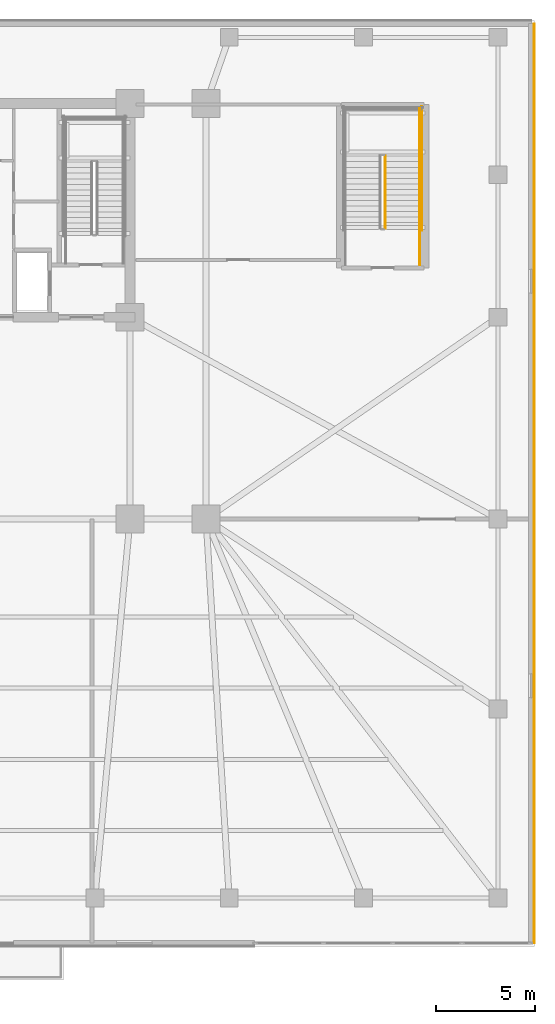
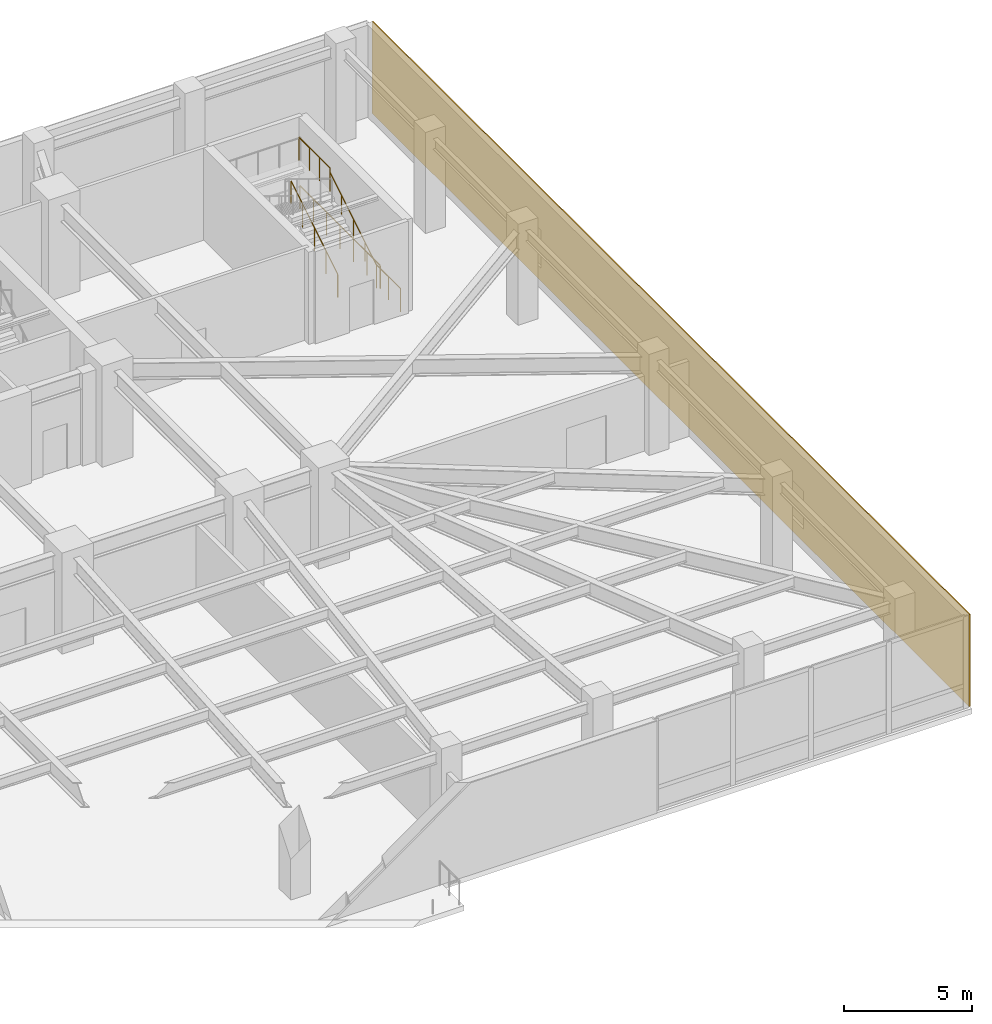
# One storey, part 15 of 15: 5 railings, 1 covering.
"""IFC4 building model written with IfcOpenShell, lengths in metres."""

from ifc_helpers import new_model, si_unit, direction, frame, frame_2d, origin, origin_2d, place, context, subcontext, project, spatial, rectangle, circle, extrude, material, layer, layer_set, type_object, element, save


model = new_model("IFC4")

# Units and contexts
model_context = context("Model", 3, precision=1e-05, world=origin(), true_north=direction((0.0, 1.0)))
body_context = subcontext(model_context, "Body", "Model", "MODEL_VIEW")
ifc_project = project(units=[si_unit("LENGTHUNIT", "METRE"), si_unit("AREAUNIT", "SQUARE_METRE"), si_unit("VOLUMEUNIT", "CUBIC_METRE"), si_unit("PLANEANGLEUNIT", "RADIAN"), si_unit("MASSUNIT", "GRAM", prefix="KILO")], contexts=[model_context])

# Site, building, storey
site_placement = place(None, origin())
site = spatial("IfcSite", under=ifc_project, at=site_placement, CompositionType="ELEMENT")
building_placement = place(site_placement, origin())
building = spatial("IfcBuilding", under=site, at=building_placement, Name="Yelkora Congress Tower", CompositionType="ELEMENT")
storey_placement = place(building_placement, frame((0.0, 0.0, 20.39990234375)))
storey = spatial("IfcBuildingStorey", under=building, at=storey_placement, Name="L04", CompositionType="ELEMENT", Elevation=20.39990234375)

# Covering
ifc_material_1 = material(Name="Anatolian honed limestone ashlar", Category="masonry")
ifc_layer_1 = layer(ifc_material_1, 0.050048828125)
ifc_layer_set_1 = layer_set([ifc_layer_1], Name="Anatolian honed limestone ashlar")
covering_type = type_object("IfcCoveringType", Name="COV-CLAD-LIMESTONE-50", PredefinedType="CLADDING", material=ifc_layer_set_1)
covering_placement = place(storey_placement, frame((74.199951171875, 50.239990234375, 0.0), z_axis=(0.0, 0.0, 1.0), x_axis=(0.0, -1.0, 0.0)))
element("IfcCovering", 1, at=covering_placement, inside=storey, type_object=covering_type, Name="L04 Anatolian Limestone Cladding EW-L04-E03", PredefinedType="CLADDING", context=body_context, shape_type="SweptSolid", body=[
    extrude(rectangle(XDim=46.47998046875, YDim=0.050048828125, at=frame_2d((23.239990234375, 0.0))), origin(), (0.0, 0.0, 1.0), 4.380126953125),
])

# Railings
ifc_material_2 = material(Name="Painted galvanised steel stair well guard with vertical infill", Category="steel")
ifc_layer_2 = layer(ifc_material_2, 0.06005859375)
ifc_layer_set_2 = layer_set([ifc_layer_2], Name="Painted galvanised steel stair well guard with vertical infill")
railing_type_1 = type_object("IfcRailingType", Name="RAIL-STAIR-GUARD-1120", PredefinedType="GUARDRAIL", material=ifc_layer_set_2)
railing_1_placement = place(storey_placement, frame((66.659912109375, 39.89990234375, 0.171630859375)))
element("IfcRailing", 2, at=railing_1_placement, inside=storey, type_object=railing_type_1, Name="ST-P2 L04 Stair Well Guardrail 1", PredefinedType="GUARDRAIL", context=body_context, shape_type="SweptSolid", body=[
    extrude(circle(Radius=0.02392578125, at=origin_2d()), frame((0.0, 0.0, 1.09619140625), z_axis=(0.0, 0.852865859571, 0.52213008492), x_axis=(-1.0, 0.0, 0.0)), (0.0, 0.0, 1.0), 4.26806640625),
    extrude(circle(Radius=0.02099609375, at=origin_2d()), origin(), (0.0, 0.0, 1.0), 1.072021484375),
    extrude(circle(Radius=0.02099609375, at=origin_2d()), frame((0.0, 0.91015625, 0.55712890625)), (0.0, 0.0, 1.0), 1.072021484375),
    extrude(circle(Radius=0.02099609375, at=origin_2d()), frame((0.0, 1.820068359375, 1.1142578125)), (0.0, 0.0, 1.0), 1.072021484375),
    extrude(circle(Radius=0.02099609375, at=origin_2d()), frame((0.0, 2.72998046875, 1.67138671875)), (0.0, 0.0, 1.0), 1.072021484375),
    extrude(circle(Radius=0.02099609375, at=origin_2d()), frame((0.0, 3.64013671875, 2.228515625)), (0.0, 0.0, 1.0), 1.072021484375),
])
railing_2_placement = place(storey_placement, frame((68.409912109375, 43.5400390625, 2.400146484375)))
element("IfcRailing", 3, at=railing_2_placement, inside=storey, type_object=railing_type_1, Name="ST-P2 L04 Stair Well Guardrail 3", PredefinedType="GUARDRAIL", context=body_context, shape_type="SweptSolid", body=[
    extrude(circle(Radius=0.02392578125, at=origin_2d()), frame((0.0, 0.0, 1.09619140625), z_axis=(0.0, 1.0, 0.0), x_axis=(-1.0, 0.0, 0.0)), (0.0, 0.0, 1.0), 2.409912109375),
    extrude(circle(Radius=0.02099609375, at=origin_2d()), origin(), (0.0, 0.0, 1.0), 1.072021484375),
    extrude(circle(Radius=0.02099609375, at=origin_2d()), frame((0.0, 0.80322265625, 0.0)), (0.0, 0.0, 1.0), 1.072021484375),
    extrude(circle(Radius=0.02099609375, at=origin_2d()), frame((0.0, 1.606689453125, 0.0)), (0.0, 0.0, 1.0), 1.072021484375),
    extrude(circle(Radius=0.02099609375, at=origin_2d()), frame((0.0, 2.409912109375, 0.0)), (0.0, 0.0, 1.0), 1.072021484375),
])
railing_3_placement = place(storey_placement, frame((68.409912109375, 38.050048828125, 0.0)))
element("IfcRailing", 4, at=railing_3_placement, inside=storey, type_object=railing_type_1, Name="ST-P2 L04 Stair Well Guardrail 8", PredefinedType="GUARDRAIL", context=body_context, shape_type="SweptSolid", body=[
    extrude(circle(Radius=0.02392578125, at=origin_2d()), frame((0.0, 0.0, 1.09619140625), z_axis=(0.0, 1.0, 0.0), x_axis=(-1.0, 0.0, 0.0)), (0.0, 0.0, 1.0), 1.849853515625),
    extrude(circle(Radius=0.02099609375, at=origin_2d()), origin(), (0.0, 0.0, 1.0), 1.072021484375),
    extrude(circle(Radius=0.02099609375, at=origin_2d()), frame((0.0, 0.9248046875, 0.0)), (0.0, 0.0, 1.0), 1.072021484375),
    extrude(circle(Radius=0.02099609375, at=origin_2d()), frame((0.0, 1.849853515625, 0.0)), (0.0, 0.0, 1.0), 1.072021484375),
])
railing_4_placement = place(storey_placement, frame((68.510009765625, 39.800048828125, 0.0)))
element("IfcRailing", 5, at=railing_4_placement, inside=storey, type_object=railing_type_1, Name="ST-P2 L04 Stair Well Guardrail 10", PredefinedType="GUARDRAIL", context=body_context, shape_type="SweptSolid", body=[
    extrude(circle(Radius=0.02392578125, at=origin_2d()), frame((0.0, 0.0, 1.09619140625), z_axis=(0.0, 1.0, 0.0), x_axis=(-1.0, 0.0, 0.0)), (0.0, 0.0, 1.0), 6.25),
    extrude(circle(Radius=0.02099609375, at=origin_2d()), origin(), (0.0, 0.0, 1.0), 1.072021484375),
    extrude(circle(Radius=0.02099609375, at=origin_2d()), frame((0.0, 1.041748046875, 0.0)), (0.0, 0.0, 1.0), 1.072021484375),
    extrude(circle(Radius=0.02099609375, at=origin_2d()), frame((0.0, 2.083251953125, 0.0)), (0.0, 0.0, 1.0), 1.072021484375),
    extrude(circle(Radius=0.02099609375, at=origin_2d()), frame((0.0, 3.125, 0.0)), (0.0, 0.0, 1.0), 1.072021484375),
    extrude(circle(Radius=0.02099609375, at=origin_2d()), frame((0.0, 4.166748046875, 0.0)), (0.0, 0.0, 1.0), 1.072021484375),
    extrude(circle(Radius=0.02099609375, at=origin_2d()), frame((0.0, 5.208251953125, 0.0)), (0.0, 0.0, 1.0), 1.072021484375),
    extrude(circle(Radius=0.02099609375, at=origin_2d()), frame((0.0, 6.25, 0.0)), (0.0, 0.0, 1.0), 1.072021484375),
])
ifc_material_3 = material(Name="Brushed stainless steel tubular handrail", Category="steel")
ifc_layer_3 = layer(ifc_material_3, 0.050048828125)
ifc_layer_set_3 = layer_set([ifc_layer_3], Name="Brushed stainless steel tubular handrail")
railing_type_2 = type_object("IfcRailingType", Name="RAIL-STAIR-HAND-920", PredefinedType="HANDRAIL", material=ifc_layer_set_3)
railing_5_placement = place(storey_placement, frame((68.409912109375, 39.89990234375, 0.171630859375)))
element("IfcRailing", 6, at=railing_5_placement, inside=storey, type_object=railing_type_2, Name="ST-P2 L04 Pitch Handrail 1", PredefinedType="HANDRAIL", context=body_context, shape_type="SweptSolid", body=[
    extrude(circle(Radius=0.02392578125, at=origin_2d()), frame((0.0, 0.0, 0.89599609375), z_axis=(0.0, 0.852865859571, 0.52213008492), x_axis=(-1.0, 0.0, 0.0)), (0.0, 0.0, 1.0), 4.26806640625),
    extrude(circle(Radius=0.02099609375, at=origin_2d()), origin(), (0.0, 0.0, 1.0), 0.871826171875),
    extrude(circle(Radius=0.02099609375, at=origin_2d()), frame((0.0, 0.91015625, 0.55712890625)), (0.0, 0.0, 1.0), 0.871826171875),
    extrude(circle(Radius=0.02099609375, at=origin_2d()), frame((0.0, 1.820068359375, 1.1142578125)), (0.0, 0.0, 1.0), 0.871826171875),
    extrude(circle(Radius=0.02099609375, at=origin_2d()), frame((0.0, 2.72998046875, 1.67138671875)), (0.0, 0.0, 1.0), 0.871826171875),
    extrude(circle(Radius=0.02099609375, at=origin_2d()), frame((0.0, 3.64013671875, 2.228515625)), (0.0, 0.0, 1.0), 0.871826171875),
])

save(model, "model.ifc")
